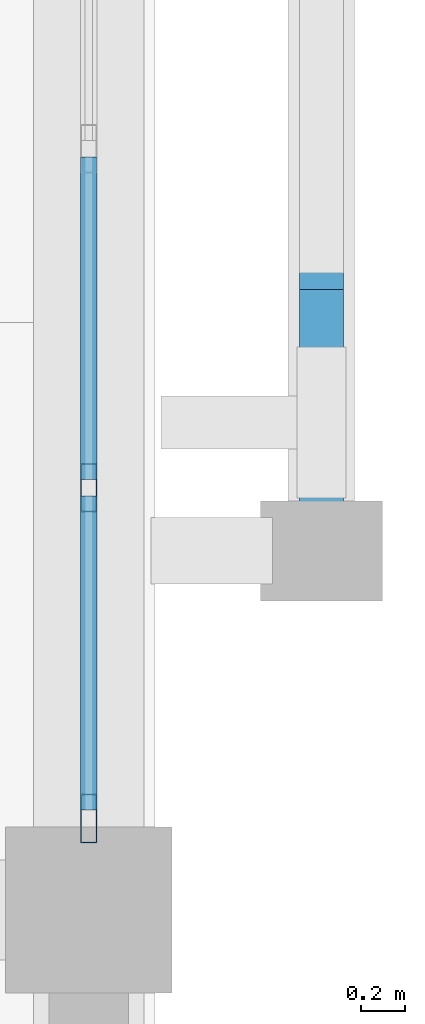
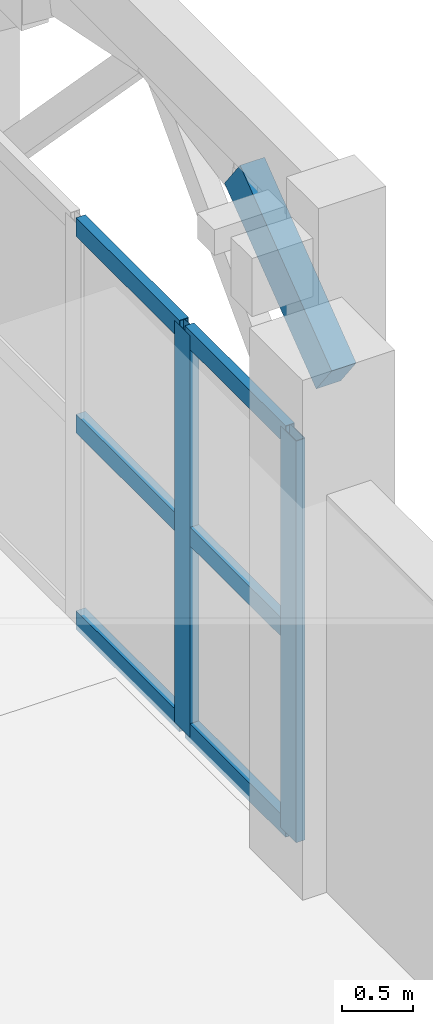
# One storey, part 51 of 114: 9 members, 1 element without a shape of its own.
"""IFC4 building model written with IfcOpenShell, lengths in metres."""

from ifc_helpers import new_model, si_unit, direction, frame, origin, origin_2d, place, context, subcontext, project, spatial, rectangle, hollow_rectangle, extrude, material, layer, layer_set, material_profile, profile_set, type_object, element, aggregate, save


model = new_model("IFC4")

# Units and contexts
model_context = context("Model", 3, precision=1e-05, world=origin(), true_north=direction((0.0, 1.0)))
body_context = subcontext(model_context, "Body", "Model", "MODEL_VIEW")
ifc_project = project(units=[si_unit("LENGTHUNIT", "METRE"), si_unit("AREAUNIT", "SQUARE_METRE"), si_unit("VOLUMEUNIT", "CUBIC_METRE"), si_unit("PLANEANGLEUNIT", "RADIAN"), si_unit("MASSUNIT", "GRAM", prefix="KILO")], contexts=[model_context])

# Site, building, storey
site_placement = place(None, origin())
site = spatial("IfcSite", under=ifc_project, at=site_placement, CompositionType="ELEMENT")
building_placement = place(site_placement, origin())
building = spatial("IfcBuilding", under=site, at=building_placement, Name="Xazarin Passage Department Store", CompositionType="ELEMENT")
storey_placement = place(building_placement, frame((0.0, 0.0, 14.39990234375)))
storey = spatial("IfcBuildingStorey", under=building, at=storey_placement, Name="L03", CompositionType="ELEMENT", Elevation=14.39990234375)

# Curtain wall, members
ifc_material_1 = material(Name="Bronze anodised aluminium", Category="aluminium")
ifc_layer = layer(ifc_material_1, 0.199951171875)
ifc_layer_set = layer_set([ifc_layer], Name="Bronze anodised aluminium")
curtain_wall_type = type_object("IfcCurtainWallType", Name="ARC-CW-VIT2", PredefinedType="NOTDEFINED", material=ifc_layer_set)
curtain_wall_placement = place(storey_placement, origin())
curtain_wall = element("IfcCurtainWall", 1, at=curtain_wall_placement, inside=storey, type_object=curtain_wall_type, Name="L03 V1 Curtain Wall 066", PredefinedType="NOTDEFINED")
ifc_material_profile_1 = material_profile(ifc_material_1, hollow_rectangle(XDim=0.074951171875, YDim=0.219970703125, WallThickness=0.0048828125, at=origin_2d()), Name="ALU 75x220")
ifc_profile_set_1 = profile_set([ifc_material_profile_1], Name="Bronze anodised aluminium")
member_type_1 = type_object("IfcMemberType", Name="ARC-CWM-75x220", PredefinedType="MULLION", material=ifc_profile_set_1)
member_1_placement = place(storey_placement, frame((50.39990234375, 93.612548828125, 0.0), z_axis=(0.0, 0.0, 1.0), x_axis=(-1.0, 0.0, 0.0)))
member_1 = element("IfcMember", 2, at=member_1_placement, type_object=member_type_1, Name="CW2 mullion 1", PredefinedType="MULLION", context=body_context, shape_type="SweptSolid", body=[
    extrude(hollow_rectangle(XDim=0.074951171875, YDim=0.219970703125, WallThickness=0.0048828125, at=origin_2d()), origin(), (0.0, 0.0, 1.0), 3.4501953125),
])
member_2_placement = place(storey_placement, frame((50.39990234375, 95.10498046875, 0.0), z_axis=(0.0, 0.0, 1.0), x_axis=(-1.0, 0.0, 0.0)))
member_2 = element("IfcMember", 3, at=member_2_placement, type_object=member_type_1, Name="CW2 mullion 2", PredefinedType="MULLION", context=body_context, shape_type="SweptSolid", body=[
    extrude(hollow_rectangle(XDim=0.074951171875, YDim=0.219970703125, WallThickness=0.0048828125, at=origin_2d()), origin(), (0.0, 0.0, 1.0), 3.4501953125),
])
ifc_material_profile_2 = material_profile(ifc_material_1, hollow_rectangle(XDim=0.074951171875, YDim=0.159912109375, WallThickness=0.00439453125, at=origin_2d()), Name="ALU 75x160")
ifc_profile_set_2 = profile_set([ifc_material_profile_2], Name="Bronze anodised aluminium")
member_type_2 = type_object("IfcMemberType", Name="ARC-CWT-75x160", PredefinedType="USERDEFINED", material=ifc_profile_set_2)
member_3_placement = place(storey_placement, frame((50.39990234375, 93.64990234375, 0.03759765625), z_axis=(0.0, 1.0, 0.0), x_axis=(-1.0, 0.0, 0.0)))
member_3 = element("IfcMember", 4, at=member_3_placement, type_object=member_type_2, Name="CW2 transom 1.1", ObjectType="TRANSOM", PredefinedType="USERDEFINED", context=body_context, shape_type="SweptSolid", body=[
    extrude(hollow_rectangle(XDim=0.074951171875, YDim=0.159912109375, WallThickness=0.00439453125, at=origin_2d()), origin(), (0.0, 0.0, 1.0), 1.41748046875),
])
member_4_placement = place(storey_placement, frame((50.39990234375, 93.64990234375, 1.72509765625), z_axis=(0.0, 1.0, 0.0), x_axis=(-1.0, 0.0, 0.0)))
member_4 = element("IfcMember", 5, at=member_4_placement, type_object=member_type_2, Name="CW2 transom 1.2", ObjectType="TRANSOM", PredefinedType="USERDEFINED", context=body_context, shape_type="SweptSolid", body=[
    extrude(hollow_rectangle(XDim=0.074951171875, YDim=0.159912109375, WallThickness=0.00439453125, at=origin_2d()), origin(), (0.0, 0.0, 1.0), 1.41748046875),
])
member_5_placement = place(storey_placement, frame((50.39990234375, 93.64990234375, 3.41259765625), z_axis=(0.0, 1.0, 0.0), x_axis=(-1.0, 0.0, 0.0)))
member_5 = element("IfcMember", 6, at=member_5_placement, type_object=member_type_2, Name="CW2 transom 1.3", ObjectType="TRANSOM", PredefinedType="USERDEFINED", context=body_context, shape_type="SweptSolid", body=[
    extrude(hollow_rectangle(XDim=0.074951171875, YDim=0.159912109375, WallThickness=0.00439453125, at=origin_2d()), origin(), (0.0, 0.0, 1.0), 1.41748046875),
])
member_6_placement = place(storey_placement, frame((50.39990234375, 95.142578125, 0.03759765625), z_axis=(0.0, 1.0, 0.0), x_axis=(-1.0, 0.0, 0.0)))
member_6 = element("IfcMember", 7, at=member_6_placement, type_object=member_type_2, Name="CW2 transom 2.1", ObjectType="TRANSOM", PredefinedType="USERDEFINED", context=body_context, shape_type="SweptSolid", body=[
    extrude(hollow_rectangle(XDim=0.074951171875, YDim=0.159912109375, WallThickness=0.00439453125, at=origin_2d()), origin(), (0.0, 0.0, 1.0), 1.454833984375),
])
member_7_placement = place(storey_placement, frame((50.39990234375, 95.142578125, 1.72509765625), z_axis=(0.0, 1.0, 0.0), x_axis=(-1.0, 0.0, 0.0)))
member_7 = element("IfcMember", 8, at=member_7_placement, type_object=member_type_2, Name="CW2 transom 2.2", ObjectType="TRANSOM", PredefinedType="USERDEFINED", context=body_context, shape_type="SweptSolid", body=[
    extrude(hollow_rectangle(XDim=0.074951171875, YDim=0.159912109375, WallThickness=0.00439453125, at=origin_2d()), origin(), (0.0, 0.0, 1.0), 1.454833984375),
])
member_8_placement = place(storey_placement, frame((50.39990234375, 95.142578125, 3.41259765625), z_axis=(0.0, 1.0, 0.0), x_axis=(-1.0, 0.0, 0.0)))
member_8 = element("IfcMember", 9, at=member_8_placement, type_object=member_type_2, Name="CW2 transom 2.3", ObjectType="TRANSOM", PredefinedType="USERDEFINED", context=body_context, shape_type="SweptSolid", body=[
    extrude(hollow_rectangle(XDim=0.074951171875, YDim=0.159912109375, WallThickness=0.00439453125, at=origin_2d()), origin(), (0.0, 0.0, 1.0), 1.454833984375),
])
aggregate(curtain_wall, [member_1, member_2, member_3, member_4, member_5, member_6, member_7, member_8])

# Member
ifc_material_2 = material(Name="Concrete C40/50", Category="concrete")
ifc_material_profile_3 = material_profile(ifc_material_2, rectangle(XDim=0.199951171875, YDim=0.360107421875, at=origin_2d()), Name="RC 200x360")
ifc_profile_set_3 = profile_set([ifc_material_profile_3], Name="Concrete C40/50")
member_type_3 = type_object("IfcMemberType", Name="STR-MEM-ARC360", PredefinedType="CHORD", material=ifc_profile_set_3)
member_9_placement = place(storey_placement, frame((51.449951171875, 94.820068359375, 2.830078125), z_axis=(0.0, 0.79440903847, 0.607383140692), x_axis=(-1.0, 0.0, 0.0)))
element("IfcMember", 10, at=member_9_placement, inside=storey, type_object=member_type_3, Name="L03 V1 Pierced Lattice Curved Arch 015.1", PredefinedType="CHORD", context=body_context, shape_type="SweptSolid", body=[
    extrude(rectangle(XDim=0.199951171875, YDim=0.360107421875, at=origin_2d()), origin(), (0.0, 0.0, 1.0), 1.623779296875),
])

save(model, "model.ifc")
